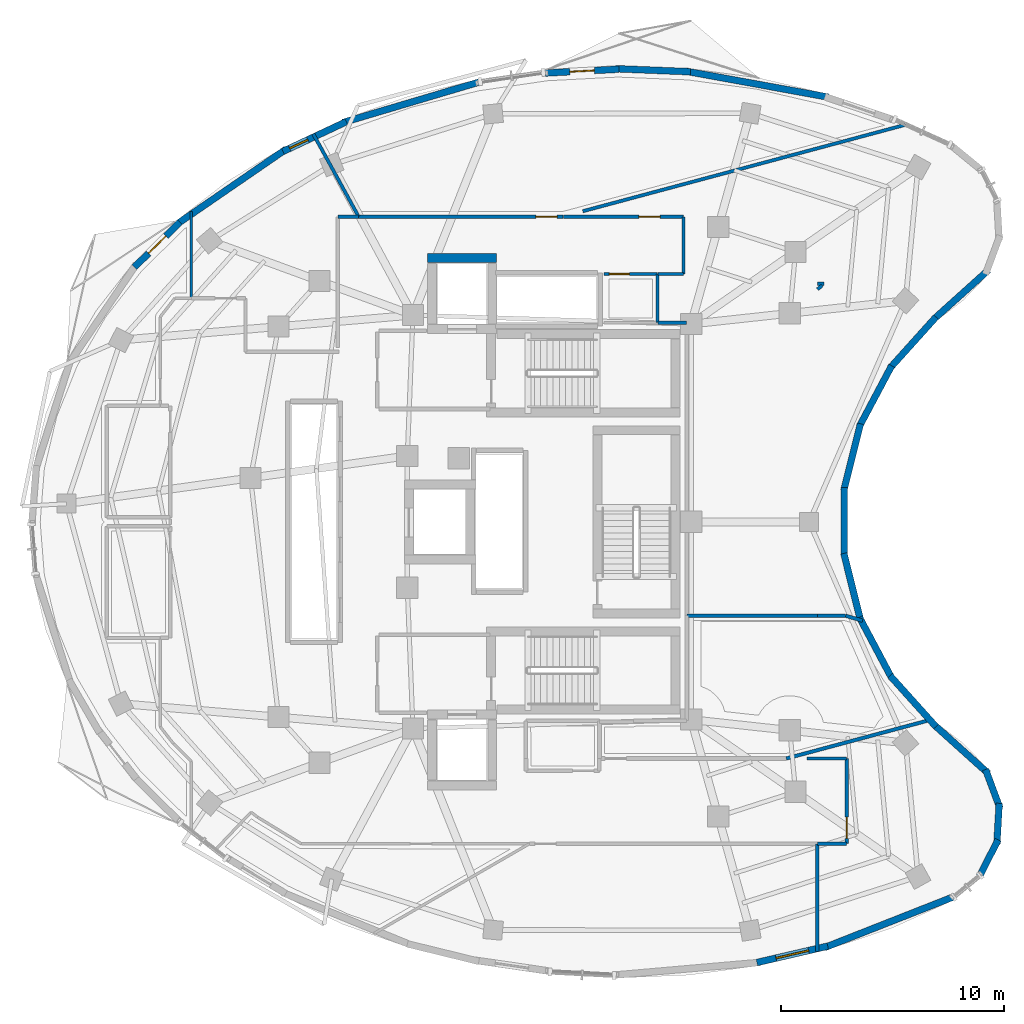
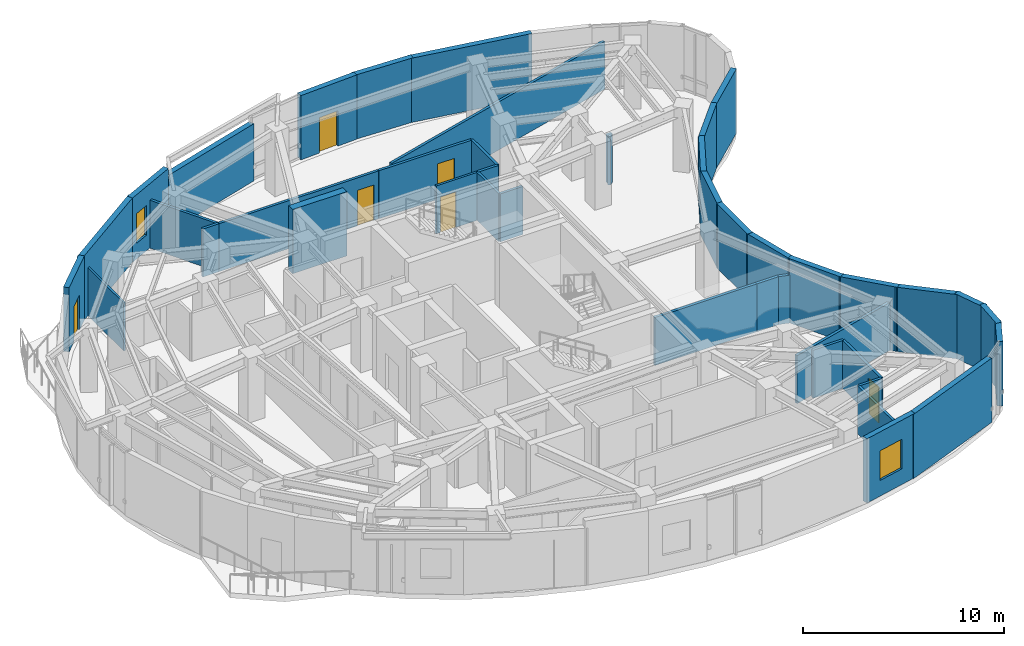
# One storey, part 9 of 13: 43 walls, 6 doors, 2 windows, 8 openings.
"""IFC4 building model written with IfcOpenShell, lengths in metres."""

import ifcopenshell
import ifcopenshell.guid

model = None  # the IFC model being written
_history = None  # IfcOwnerHistory: only IFC2X3 demands one
_inside = {}  # id of a spatial element -> (the spatial element, [elements in it])
_under = {}  # id of a project, library or spatial element -> (it, [spatial elements below it])
_declared = {}  # id of a project -> (the project, [libraries it declares])
_typed = {}  # id of a type object -> (the type object, [elements of that type])
_made_of = {}  # id of a material, layer set ... -> (it, [elements and type objects made of it])


def new_model(schema):
    """Start an empty IFC model of exactly this schema.

    Asked for "IFC4X3", IfcOpenShell would pick the latest addendum, in which some entities
    have other attributes; the version numbers below select the first issue.
    IFC2X3 requires an IfcOwnerHistory on every rooted entity: one is made here for all.
    """
    global model, _history
    if schema == "IFC4X3":
        model = ifcopenshell.file(schema_version=(4, 3, 0, 0))
    else:
        model = ifcopenshell.file(schema=schema)
    _inside.clear()
    _under.clear()
    _declared.clear()
    _typed.clear()
    _made_of.clear()
    _history = None
    if model.schema == "IFC2X3":
        org = make("IfcOrganization", Name="unknown")
        user = make(
            "IfcPersonAndOrganization",
            ThePerson=make("IfcPerson", FamilyName="unknown"),
            TheOrganization=org,
        )
        app = make(
            "IfcApplication",
            ApplicationDeveloper=org,
            Version="unknown",
            ApplicationFullName="unknown",
            ApplicationIdentifier="unknown",
        )
        _history = make(
            "IfcOwnerHistory",
            OwningUser=user,
            OwningApplication=app,
            ChangeAction="ADDED",
            CreationDate=0,
        )
    return model


def make(cls, **values):
    """One entity of the class cls with the attributes given. An attribute that is None is left unset."""
    return model.create_entity(
        cls, **{name: value for name, value in values.items() if value is not None}
    )


def rooted(cls, **values):
    """An entity with a GlobalId (a new one), such as an element, a storey or a relation."""
    return make(cls, GlobalId=ifcopenshell.guid.new(), OwnerHistory=_history, **values)


def si_unit(unit_type, name, prefix=None):
    """IfcSIUnit, for example si_unit("LENGTHUNIT", "METRE", prefix="MILLI")."""
    return make("IfcSIUnit", UnitType=unit_type, Prefix=prefix, Name=name)


def assignment(units):
    """IfcUnitAssignment: the units of a project."""
    return None if units is None else make("IfcUnitAssignment", Units=units)


def point(xyz):
    """IfcCartesianPoint."""
    return None if xyz is None else make("IfcCartesianPoint", Coordinates=xyz)


def direction(xyz):
    """IfcDirection."""
    return None if xyz is None else make("IfcDirection", DirectionRatios=xyz)


def frame(location, z_axis=None, x_axis=None):
    """IfcAxis2Placement3D, a coordinate frame: its origin and axes. An axis left out is left unset."""
    return make(
        "IfcAxis2Placement3D",
        Location=point(location),
        Axis=direction(z_axis),
        RefDirection=direction(x_axis),
    )


def frame_2d(location, x_axis=None):
    """IfcAxis2Placement2D, a coordinate frame in the plane: its origin and x axis."""
    return make(
        "IfcAxis2Placement2D", Location=point(location), RefDirection=direction(x_axis)
    )


def origin():
    """The frame at (0, 0, 0) with its axes left unset."""
    return frame((0.0, 0.0, 0.0))


def place(relative_to, where):
    """IfcLocalPlacement: puts the frame where relative to a parent placement (None: the world)."""
    return make(
        "IfcLocalPlacement", PlacementRelTo=relative_to, RelativePlacement=where
    )


def context(
    kind, dimensions, precision=None, world=None, true_north=None, identifier=None
):
    """IfcGeometricRepresentationContext, for example the 3D "Model" context."""
    return make(
        "IfcGeometricRepresentationContext",
        ContextIdentifier=identifier,
        ContextType=kind,
        CoordinateSpaceDimension=dimensions,
        Precision=precision,
        WorldCoordinateSystem=world,
        TrueNorth=true_north,
    )


def subcontext(parent, identifier, kind, view, scale=None):
    """IfcGeometricRepresentationSubContext, for example "Body" below "Model"."""
    return make(
        "IfcGeometricRepresentationSubContext",
        ContextIdentifier=identifier,
        ContextType=kind,
        ParentContext=parent,
        TargetScale=scale,
        TargetView=view,
    )


def project(units=None, contexts=None):
    """IfcProject with its units and contexts."""
    return rooted(
        "IfcProject",
        Name="project",
        RepresentationContexts=contexts,
        UnitsInContext=assignment(units),
    )


def spatial(cls, under=None, at=None, **own):
    """A site, building, storey or space (cls), placed at a placement, below another one or the project."""
    s = rooted(cls, ObjectPlacement=at, **own)
    if under is not None:
        _under.setdefault(under.id(), (under, []))[1].append(s)
    return s


def profile(cls, at=None, kind="AREA", **sizes):
    """A parametric profile (cls). Its sizes go by their IFC names, for example OverallWidth=200.0."""
    return make(cls, ProfileType=kind, Position=at, **sizes)


def rectangle(**sizes):
    """IfcRectangleProfileDef."""
    return profile("IfcRectangleProfileDef", **sizes)


def extrude(swept, where, along, depth):
    """IfcExtrudedAreaSolid: the profile swept, set in the frame where, extruded along a direction by depth."""
    return make(
        "IfcExtrudedAreaSolid",
        SweptArea=swept,
        Position=where,
        ExtrudedDirection=direction(along),
        Depth=depth,
    )


def shape(context_of_items, identifier, shape_type, items):
    """IfcShapeRepresentation: the items that make up one representation, for example the "Body"."""
    return make(
        "IfcShapeRepresentation",
        ContextOfItems=context_of_items,
        RepresentationIdentifier=identifier,
        RepresentationType=shape_type,
        Items=items,
    )


def material(Name=None, Category=None):
    """IfcMaterial."""
    return make("IfcMaterial", Name=Name, Category=Category)


def layer(
    of_material, thickness, ventilated=None, Name=None, Category=None, Priority=None
):
    """IfcMaterialLayer: one layer of a wall or slab, of a material (None: an air gap)."""
    return make(
        "IfcMaterialLayer",
        Material=of_material,
        LayerThickness=thickness,
        IsVentilated=ventilated,
        Name=Name,
        Category=Category,
        Priority=Priority,
    )


def layer_set(layers, Name=None):
    """IfcMaterialLayerSet."""
    return make("IfcMaterialLayerSet", MaterialLayers=layers, LayerSetName=Name)


def made_of(thing, what):
    """Note that an element or type object is made of a material, layer set ...; save() writes the relation."""
    if what is not None:
        _made_of.setdefault(what.id(), (what, []))[1].append(thing)
    return thing


def type_object(cls, material=None, **own):
    """A type object (cls), such as IfcWallType, which elements share."""
    return made_of(rooted(cls, **own), material)


def element(
    cls,
    number,
    at=None,
    inside=None,
    cuts=None,
    type_object=None,
    material=None,
    context=None,
    identifier="Body",
    shape_type=None,
    held_by="IfcProductDefinitionShape",
    body=None,
    shapes=None,
    **own,
):
    """One element of the class cls, such as IfcWall. Its Tag is "e" and its number.

    at: its placement. inside: the storey or other place that contains it. cuts: it is an
    opening in that element (IfcRelVoidsElement). A single representation is given by context,
    identifier, shape_type and body (its items); several are given by shapes. held_by: the class
    of the entity that holds the representations. save() writes the other relations.
    """
    e = rooted(cls, Tag="e%d" % number, ObjectPlacement=at, **own)
    if body is not None:
        shapes = [shape(context, identifier, shape_type, body)]
    if shapes is not None:
        e.Representation = make(held_by, Representations=shapes)
    if inside is not None:
        _inside.setdefault(inside.id(), (inside, []))[1].append(e)
    if cuts is not None:
        rooted(
            "IfcRelVoidsElement", RelatingBuildingElement=cuts, RelatedOpeningElement=e
        )
    if type_object is not None:
        _typed.setdefault(type_object.id(), (type_object, []))[1].append(e)
    return made_of(e, material)


def fill(opening, filler):
    """IfcRelFillsElement: the door or window that sits in an opening."""
    return rooted(
        "IfcRelFillsElement",
        RelatingOpeningElement=opening,
        RelatedBuildingElement=filler,
    )


def aggregate(whole, parts):
    """IfcRelAggregates: a whole, such as a stair, and the parts it consists of."""
    return rooted("IfcRelAggregates", RelatingObject=whole, RelatedObjects=parts)


def save(model, path):
    """Write the relations noted so far, then the file.

    IfcRelAggregates (storeys below a building ...), IfcRelContainedInSpatialStructure (elements
    in a storey), IfcRelDefinesByType, IfcRelAssociatesMaterial and IfcRelDeclares: one each for
    every whole, place, type object, material and project.
    """
    for whole, parts in _under.values():
        aggregate(whole, parts)
    for where, things in _inside.values():
        rooted(
            "IfcRelContainedInSpatialStructure",
            RelatedElements=things,
            RelatingStructure=where,
        )
    for kind, things in _typed.values():
        rooted("IfcRelDefinesByType", RelatedObjects=things, RelatingType=kind)
    for what, things in _made_of.values():
        rooted("IfcRelAssociatesMaterial", RelatedObjects=things, RelatingMaterial=what)
    for by, libraries in _declared.values():
        rooted("IfcRelDeclares", RelatingContext=by, RelatedDefinitions=libraries)
    model.write(path)


model = new_model("IFC4")

# Units and contexts
model_context = context("Model", 3, precision=1e-05, world=origin(), true_north=direction((0.0, 1.0)))
body_context = subcontext(model_context, "Body", "Model", "MODEL_VIEW")
ifc_project = project(units=[si_unit("LENGTHUNIT", "METRE"), si_unit("AREAUNIT", "SQUARE_METRE"), si_unit("VOLUMEUNIT", "CUBIC_METRE"), si_unit("PLANEANGLEUNIT", "RADIAN"), si_unit("MASSUNIT", "GRAM", prefix="KILO")], contexts=[model_context])

# Site, building, storey
site_placement = place(None, origin())
site = spatial("IfcSite", under=ifc_project, at=site_placement, CompositionType="ELEMENT")
building_placement = place(site_placement, origin())
building = spatial("IfcBuilding", under=site, at=building_placement, Name="Korentha Bioscience Tower", CompositionType="ELEMENT")
storey_placement = place(building_placement, frame((0.0, 0.0, 268.800048828125)))
storey = spatial("IfcBuildingStorey", under=building, at=storey_placement, Name="L62", CompositionType="ELEMENT", Elevation=268.800048828125)

# Wall, opening, door
ifc_material_1 = material(Name="Double-Stud Acoustic Gypsum", Category="gypsum")
ifc_layer_1 = layer(ifc_material_1, 0.14990234375, Name="Double-Stud Acoustic Gypsum")
ifc_layer_set_1 = layer_set([ifc_layer_1], Name="Double-Stud Acoustic Gypsum (IW-L150)")
wall_type_1 = type_object("IfcWallType", Name="Acoustic Laboratory Partition Wall 150", PredefinedType="PARTITIONING", material=ifc_layer_set_1)
wall_1_placement = place(storey_placement, frame((44.510009765625, 12.60009765625, 0.0), z_axis=(0.0, 0.0, 1.0), x_axis=(0.0, 1.0, 0.0)))
wall_1 = element("IfcWall", 1, at=wall_1_placement, inside=storey, type_object=wall_type_1, Name="L62 Biomechanical Motion Analysis Lab 04 Entrance Wall", PredefinedType="PARTITIONING", context=body_context, shape_type="SweptSolid", body=[
    extrude(rectangle(XDim=3.7998046875, YDim=0.14990234375, at=frame_2d((1.89990234375, 0.0))), origin(), (0.0, 0.0, 1.0), 2.909912109375),
])
opening_1_placement = place(wall_1_placement, frame((0.239990234375, 0.0, 0.0)))
opening_1 = element("IfcOpeningElement", 2, at=opening_1_placement, cuts=wall_1, Name="Opening ID-10R", PredefinedType="OPENING", context=body_context, shape_type="SweptSolid", body=[
    extrude(rectangle(XDim=0.949951171875, YDim=2.14990234375, at=frame_2d((0.47509765625, 1.074951171875))), frame((0.0, 0.08984375, 0.0), z_axis=(0.0, -1.0, 0.0), x_axis=(1.0, 0.0, 0.0)), (0.0, 0.0, 1.0), 0.1796875),
])
ifc_material_2 = material(Name="Phenolic Laminate Timber Core", Category="wood")
door_type_1 = type_object("IfcDoorType", Name="Laboratory Single Leaf Door 950x2150 Right", OperationType="SINGLE_SWING_RIGHT", PredefinedType="DOOR", material=ifc_material_2)
door_1_placement = place(opening_1_placement, origin())
door_1 = element("IfcDoor", 3, at=door_1_placement, inside=storey, type_object=door_type_1, Name="L62 Biomechanical Motion Analysis Lab 04 Door", OperationType="SINGLE_SWING_RIGHT", OverallHeight=2.14990234375, OverallWidth=0.949951171875, PredefinedType="DOOR", context=body_context, shape_type="SweptSolid", body=[
    extrude(rectangle(XDim=0.949951171875, YDim=2.14990234375, at=frame_2d((0.47509765625, 1.074951171875))), frame((0.0, 0.02490234375, 0.0), z_axis=(0.0, -1.0, 0.0), x_axis=(1.0, 0.0, 0.0)), (0.0, 0.0, 1.0), 0.050048828125),
])
fill(opening_1, door_1)

wall_2_placement = place(storey_placement, frame((31.8056640625, 40.659912109375, 0.0), z_axis=(0.0, 0.0, 1.0), x_axis=(-1.0, 0.0, 0.0)))
wall_2 = element("IfcWall", 4, at=wall_2_placement, inside=storey, type_object=wall_type_1, Name="L62 Incubator and Bioreactor Suite 05 Entrance Wall", PredefinedType="PARTITIONING", context=body_context, shape_type="SweptSolid", body=[
    extrude(rectangle(XDim=9.136474609375, YDim=0.14990234375, at=frame_2d((4.568359375, 0.0))), origin(), (0.0, 0.0, 1.0), 2.909912109375),
])
opening_2_placement = place(wall_2_placement, frame((0.25732421875, 0.0, 0.0)))
opening_2 = element("IfcOpeningElement", 5, at=opening_2_placement, cuts=wall_2, Name="Opening ID-10L", PredefinedType="OPENING", context=body_context, shape_type="SweptSolid", body=[
    extrude(rectangle(XDim=0.949951171875, YDim=2.14990234375, at=frame_2d((0.47509765625, 1.074951171875))), frame((0.0, 0.08984375, 0.0), z_axis=(0.0, -1.0, 0.0), x_axis=(1.0, 0.0, 0.0)), (0.0, 0.0, 1.0), 0.1796875),
])
door_type_2 = type_object("IfcDoorType", Name="Laboratory Single Leaf Door 950x2150 Left", OperationType="SINGLE_SWING_LEFT", PredefinedType="DOOR", material=ifc_material_2)
door_2_placement = place(opening_2_placement, origin())
door_2 = element("IfcDoor", 6, at=door_2_placement, inside=storey, type_object=door_type_2, Name="L62 Incubator and Bioreactor Suite 05 Door", OperationType="SINGLE_SWING_LEFT", OverallHeight=2.14990234375, OverallWidth=0.949951171875, PredefinedType="DOOR", context=body_context, shape_type="SweptSolid", body=[
    extrude(rectangle(XDim=0.949951171875, YDim=2.14990234375, at=frame_2d((0.47509765625, 1.074951171875))), frame((0.0, 0.02490234375, 0.0), z_axis=(0.0, -1.0, 0.0), x_axis=(1.0, 0.0, 0.0)), (0.0, 0.0, 1.0), 0.050048828125),
])
fill(opening_2, door_2)

wall_3_placement = place(storey_placement, frame((37.199951171875, 40.659912109375, 0.0), z_axis=(0.0, 0.0, 1.0), x_axis=(-1.0, 0.0, 0.0)))
wall_3 = element("IfcWall", 7, at=wall_3_placement, inside=storey, type_object=wall_type_1, Name="L62 Translational Medicine Team Office 06 Entrance Wall", PredefinedType="PARTITIONING", context=body_context, shape_type="SweptSolid", body=[
    extrude(rectangle(XDim=5.35546875, YDim=0.14990234375, at=frame_2d((2.677734375, 0.0))), origin(), (0.0, 0.0, 1.0), 2.909912109375),
])
opening_3_placement = place(wall_3_placement, frame((1.037353515625, 0.0, 0.0)))
opening_3 = element("IfcOpeningElement", 8, at=opening_3_placement, cuts=wall_3, Name="Opening ID-10R", PredefinedType="OPENING", context=body_context, shape_type="SweptSolid", body=[
    extrude(rectangle(XDim=0.949951171875, YDim=2.14990234375, at=frame_2d((0.47509765625, 1.074951171875))), frame((0.0, 0.08984375, 0.0), z_axis=(0.0, -1.0, 0.0), x_axis=(1.0, 0.0, 0.0)), (0.0, 0.0, 1.0), 0.1796875),
])
door_3_placement = place(opening_3_placement, origin())
door_3 = element("IfcDoor", 9, at=door_3_placement, inside=storey, type_object=door_type_1, Name="L62 Translational Medicine Team Office 06 Door", OperationType="SINGLE_SWING_RIGHT", OverallHeight=2.14990234375, OverallWidth=0.949951171875, PredefinedType="DOOR", context=body_context, shape_type="SweptSolid", body=[
    extrude(rectangle(XDim=0.949951171875, YDim=2.14990234375, at=frame_2d((0.47509765625, 1.074951171875))), frame((0.0, 0.02490234375, 0.0), z_axis=(0.0, -1.0, 0.0), x_axis=(1.0, 0.0, 0.0)), (0.0, 0.0, 1.0), 0.050048828125),
])
fill(opening_3, door_3)

# Walls
wall_4_placement = place(storey_placement, frame((43.197998046875, 12.590087890625, 0.0), z_axis=(0.0, 0.0, 1.0), x_axis=(0.0, -1.0, 0.0)))
element("IfcWall", 10, at=wall_4_placement, inside=storey, type_object=wall_type_1, Name="L62 Interior Partition 032", PredefinedType="PARTITIONING", context=body_context, shape_type="SweptSolid", body=[
    extrude(rectangle(XDim=4.820556640625, YDim=0.14990234375, at=frame_2d((2.41015625, 0.0))), origin(), (0.0, 0.0, 1.0), 2.909912109375),
])
wall_5_placement = place(storey_placement, frame((43.2080078125, 12.590087890625, 0.0), z_axis=(0.0, 0.0, 1.0), x_axis=(1.0, 0.0, 0.0)))
element("IfcWall", 11, at=wall_5_placement, inside=storey, type_object=wall_type_1, Name="L62 Interior Partition 040", PredefinedType="PARTITIONING", context=body_context, shape_type="SweptSolid", body=[
    extrude(rectangle(XDim=1.2919921875, YDim=0.14990234375, at=frame_2d((0.64599609375, 0.0))), origin(), (0.0, 0.0, 1.0), 2.909912109375),
])
wall_6_placement = place(storey_placement, frame((44.5, 16.409912109375, 0.0), z_axis=(0.0, 0.0, 1.0), x_axis=(-1.0, 0.0, 0.0)))
element("IfcWall", 12, at=wall_6_placement, inside=storey, type_object=wall_type_1, Name="L62 Interior Partition 041", PredefinedType="PARTITIONING", context=body_context, shape_type="SweptSolid", body=[
    extrude(rectangle(XDim=1.764892578125, YDim=0.14990234375, at=frame_2d((0.88232421875, 0.0))), origin(), (0.0, 0.0, 1.0), 2.909912109375),
])
wall_7_placement = place(storey_placement, frame((47.15380859375, 44.7724609375, 0.0), z_axis=(0.0, 0.0, 1.0), x_axis=(-0.965924962881, -0.258822267365, 0.0)))
element("IfcWall", 13, at=wall_7_placement, inside=storey, type_object=wall_type_1, Name="L62 Interior Partition 042", PredefinedType="PARTITIONING", context=body_context, shape_type="SweptSolid", body=[
    extrude(rectangle(XDim=14.962158203125, YDim=0.14990234375, at=frame_2d((7.48095703125, 0.0))), origin(), (0.0, 0.0, 1.0), 2.909912109375),
])
wall_8_placement = place(storey_placement, frame((22.669189453125, 40.659912109375, 0.0), z_axis=(0.0, 0.0, 1.0), x_axis=(-0.480944413436, 0.8767510885, 0.0)))
element("IfcWall", 14, at=wall_8_placement, inside=storey, type_object=wall_type_1, Name="L62 Interior Partition 043", PredefinedType="PARTITIONING", context=body_context, shape_type="SweptSolid", body=[
    extrude(rectangle(XDim=4.223876953125, YDim=0.14990234375, at=frame_2d((2.11181640625, 0.0))), origin(), (0.0, 0.0, 1.0), 2.909912109375),
])
wall_9_placement = place(storey_placement, frame((37.35009765625, 35.909912109375, 0.0), z_axis=(0.0, 0.0, 1.0), x_axis=(-1.0, 0.0, 0.0)))
element("IfcWall", 15, at=wall_9_placement, inside=storey, type_object=wall_type_1, Name="L62 Interior Partition 047", PredefinedType="PARTITIONING", context=body_context, shape_type="SweptSolid", body=[
    extrude(rectangle(XDim=1.2900390625, YDim=0.14990234375, at=frame_2d((0.64501953125, 0.0))), origin(), (0.0, 0.0, 1.0), 2.909912109375),
])
wall_10_placement = place(storey_placement, frame((36.06005859375, 38.090087890625, 0.0), z_axis=(0.0, 0.0, 1.0), x_axis=(1.0, 0.0, 0.0)))
element("IfcWall", 16, at=wall_10_placement, inside=storey, type_object=wall_type_1, Name="L62 Interior Partition 048", PredefinedType="PARTITIONING", context=body_context, shape_type="SweptSolid", body=[
    extrude(rectangle(XDim=1.139892578125, YDim=0.14990234375, at=frame_2d((0.56982421875, 0.0))), origin(), (0.0, 0.0, 1.0), 2.909912109375),
])
wall_11_placement = place(storey_placement, frame((37.2099609375, 38.10009765625, 0.0), z_axis=(0.0, 0.0, 1.0), x_axis=(0.0, 1.0, 0.0)))
element("IfcWall", 17, at=wall_11_placement, inside=storey, type_object=wall_type_1, Name="L62 Interior Partition 049", PredefinedType="PARTITIONING", context=body_context, shape_type="SweptSolid", body=[
    extrude(rectangle(XDim=2.5498046875, YDim=0.14990234375, at=frame_2d((1.27490234375, 0.0))), origin(), (0.0, 0.0, 1.0), 2.909912109375),
])
wall_12_placement = place(storey_placement, frame((43.20458984375, 37.40771484375, 0.0), z_axis=(0.0, 0.0, 1.0), x_axis=(0.781494095721, 0.623912636795, 0.0)))
element("IfcWall", 18, at=wall_12_placement, inside=storey, type_object=wall_type_1, Name="L62 Interior Partition 050", PredefinedType="PARTITIONING", context=body_context, shape_type="SweptSolid", body=[
    extrude(rectangle(XDim=0.266357421875, YDim=0.14990234375, at=frame_2d((0.13330078125, 0.0))), origin(), (0.0, 0.0, 1.0), 2.909912109375),
])
wall_13_placement = place(storey_placement, frame((43.499267578125, 37.652099609375, 0.0), z_axis=(0.0, 0.0, 1.0), x_axis=(-1.0, 0.0, 0.0)))
element("IfcWall", 19, at=wall_13_placement, inside=storey, type_object=wall_type_1, Name="L62 Interior Partition 051", PredefinedType="PARTITIONING", context=body_context, shape_type="SweptSolid", body=[
    extrude(rectangle(XDim=0.297119140625, YDim=0.14990234375, at=frame_2d((0.1484375, 0.0))), origin(), (0.0, 0.0, 1.0), 2.909912109375),
])
wall_14_placement = place(storey_placement, frame((22.65771484375, 40.659912109375, 0.0), z_axis=(0.0, 0.0, 1.0), x_axis=(-1.0, 0.0, 0.0)))
element("IfcWall", 20, at=wall_14_placement, inside=storey, type_object=wall_type_1, Name="L62 Interior Partition 060", PredefinedType="PARTITIONING", context=body_context, shape_type="SweptSolid", body=[
    extrude(rectangle(XDim=0.90771484375, YDim=0.14990234375, at=frame_2d((0.453857421875, 0.0))), origin(), (0.0, 0.0, 1.0), 2.909912109375),
])
ifc_material_3 = material(Name="Fire-Rated Framed Glass", Category="glass")
ifc_layer_2 = layer(ifc_material_3, 0.110107421875, Name="Fire-Rated Framed Glass")
ifc_layer_set_2 = layer_set([ifc_layer_2], Name="Fire-Rated Framed Glass (IW-G110)")
wall_type_2 = type_object("IfcWallType", Name="Demountable Glazed Office Partition 110", PredefinedType="MOVABLE", material=ifc_layer_set_2)
wall_15_placement = place(storey_placement, frame((15.184326171875, 40.89697265625, 0.0), z_axis=(0.0, 0.0, 1.0), x_axis=(0.0, -1.0, 0.0)))
element("IfcWall", 21, at=wall_15_placement, inside=storey, type_object=wall_type_2, Name="L62 Interior Partition 052", PredefinedType="MOVABLE", context=body_context, shape_type="SweptSolid", body=[
    extrude(rectangle(XDim=3.886962890625, YDim=0.110107421875, at=frame_2d((1.943359375, 0.0))), origin(), (0.0, 0.0, 1.0), 2.909912109375),
])
ifc_material_4 = material(Name="Gypsum-Clad Steel Stud", Category="steel")
ifc_layer_3 = layer(ifc_material_4, 0.159912109375, Name="Gypsum-Clad Steel Stud")
ifc_layer_set_3 = layer_set([ifc_layer_3], Name="Gypsum-Clad Steel Stud (IW-C160)")
wall_type_3 = type_object("IfcWallType", Name="Fire-Rated Corridor Partition Wall 160", PredefinedType="PARTITIONING", material=ifc_layer_set_3)
wall_16_placement = place(storey_placement, frame((37.360107421875, 22.798095703125, 0.0), z_axis=(0.0, 0.0, 1.0), x_axis=(1.0, 0.0, 0.0)))
element("IfcWall", 22, at=wall_16_placement, inside=storey, type_object=wall_type_3, Name="L62 Interior Partition 035", PredefinedType="PARTITIONING", context=body_context, shape_type="SweptSolid", body=[
    extrude(rectangle(XDim=5.837890625, YDim=0.159912109375, at=frame_2d((2.9189453125, 0.0))), origin(), (0.0, 0.0, 1.0), 2.909912109375),
])
wall_17_placement = place(storey_placement, frame((43.2021484375, 22.798095703125, 0.0), z_axis=(0.0, 0.0, 1.0), x_axis=(1.0, 0.0, 0.0)))
element("IfcWall", 23, at=wall_17_placement, inside=storey, type_object=wall_type_3, Name="L62 Interior Partition 036", PredefinedType="PARTITIONING", context=body_context, shape_type="SweptSolid", body=[
    extrude(rectangle(XDim=1.2607421875, YDim=0.159912109375, at=frame_2d((0.63037109375, 0.0))), origin(), (0.0, 0.0, 1.0), 2.909912109375),
])
wall_18_placement = place(storey_placement, frame((44.463134765625, 22.798095703125, 0.0), z_axis=(0.0, 0.0, 1.0), x_axis=(0.959419641558, -0.281982182759, 0.0)))
element("IfcWall", 24, at=wall_18_placement, inside=storey, type_object=wall_type_3, Name="L62 Interior Partition 037", PredefinedType="PARTITIONING", context=body_context, shape_type="SweptSolid", body=[
    extrude(rectangle(XDim=0.78955078125, YDim=0.159912109375, at=frame_2d((0.394775390625, 0.0))), origin(), (0.0, 0.0, 1.0), 2.909912109375),
])
wall_19_placement = place(storey_placement, frame((48.30908203125, 18.152099609375, 0.0), z_axis=(0.0, 0.0, 1.0), x_axis=(-0.965918743998, -0.258845475127, 0.0)))
element("IfcWall", 25, at=wall_19_placement, inside=storey, type_object=wall_type_3, Name="L62 Interior Partition 038", PredefinedType="PARTITIONING", context=body_context, shape_type="SweptSolid", body=[
    extrude(rectangle(XDim=6.730712890625, YDim=0.159912109375, at=frame_2d((3.365234375, 0.0))), origin(), (0.0, 0.0, 1.0), 2.909912109375),
])

# Wall, opening, door
ifc_material_5 = material(Name="Honed Limestone Precast Concrete C40", Category="masonry")
ifc_layer_4 = layer(ifc_material_5, 0.300048828125, Name="Honed Limestone Precast Concrete C40")
ifc_layer_set_4 = layer_set([ifc_layer_4], Name="Honed Limestone Precast Concrete C40 (EW-ST300)")
wall_type_4 = type_object("IfcWallType", Name="Honed Limestone Cavity Spandrel Wall 300", PredefinedType="STANDARD", material=ifc_layer_set_4)
wall_20_placement = place(storey_placement, frame((34.32421875, 47.256591796875, 0.0), z_axis=(0.0, 0.0, 1.0), x_axis=(-0.998637335207, -0.052186901914, 0.0)))
wall_20 = element("IfcWall", 26, at=wall_20_placement, inside=storey, type_object=wall_type_4, Name="L62 Balcony Threshold Wall 01", PredefinedType="STANDARD", context=body_context, shape_type="SweptSolid", body=[
    extrude(rectangle(XDim=3.307373046875, YDim=0.300048828125, at=frame_2d((1.65380859375, 0.0))), origin(), (0.0, 0.0, 1.0), 3.89990234375),
])
opening_4_placement = place(wall_20_placement, frame((1.103759765625, 0.0, 0.0)))
opening_4 = element("IfcOpeningElement", 27, at=opening_4_placement, cuts=wall_20, Name="Opening BD-11L", PredefinedType="OPENING", context=body_context, shape_type="SweptSolid", body=[
    extrude(rectangle(XDim=1.10009765625, YDim=2.14990234375, at=frame_2d((0.550048828125, 1.074951171875))), frame((0.0, 0.1650390625, 0.0), z_axis=(0.0, -1.0, 0.0), x_axis=(1.0, 0.0, 0.0)), (0.0, 0.0, 1.0), 0.329833984375),
])
ifc_material_6 = material(Name="Thermally Broken Glazed Aluminium", Category="aluminium")
door_type_3 = type_object("IfcDoorType", Name="Balcony Terrace Glazed Door 1100x2150 Left", OperationType="SINGLE_SWING_LEFT", PredefinedType="DOOR", material=ifc_material_6)
door_4_placement = place(opening_4_placement, origin())
door_4 = element("IfcDoor", 28, at=door_4_placement, inside=storey, type_object=door_type_3, Name="L62 Balcony Access Door 01", OperationType="SINGLE_SWING_LEFT", OverallHeight=2.14990234375, OverallWidth=1.10009765625, PredefinedType="DOOR", context=body_context, shape_type="SweptSolid", body=[
    extrude(rectangle(XDim=1.10009765625, YDim=2.14990234375, at=frame_2d((0.550048828125, 1.074951171875))), frame((0.0, 0.02490234375, 0.0), z_axis=(0.0, -1.0, 0.0), x_axis=(1.0, 0.0, 0.0)), (0.0, 0.0, 1.0), 0.050048828125),
])
fill(opening_4, door_4)

# Wall, opening, window
wall_21_placement = place(storey_placement, frame((22.118408203125, 44.9052734375, 0.0), z_axis=(0.0, 0.0, 1.0), x_axis=(-0.904969006582, -0.425477493089, 0.0)))
wall_21 = element("IfcWall", 29, at=wall_21_placement, inside=storey, type_object=wall_type_4, Name="L62 Honed Limestone Spandrel Wall 10", PredefinedType="STANDARD", context=body_context, shape_type="SweptSolid", body=[
    extrude(rectangle(XDim=3.127685546875, YDim=0.300048828125, at=frame_2d((1.56396484375, 0.0))), origin(), (0.0, 0.0, 1.0), 3.89990234375),
])
opening_5_placement = place(wall_21_placement, frame((1.899169921875, 0.0, 0.949951171875)))
opening_5 = element("IfcOpeningElement", 30, at=opening_5_placement, cuts=wall_21, Name="Opening WN-05", PredefinedType="OPENING", context=body_context, shape_type="SweptSolid", body=[
    extrude(rectangle(XDim=0.89990234375, YDim=1.800048828125, at=frame_2d((0.449951171875, 0.89990234375))), frame((0.0, 0.1650390625, 0.0), z_axis=(0.0, -1.0, 0.0), x_axis=(1.0, 0.0, 0.0)), (0.0, 0.0, 1.0), 0.329833984375),
])
ifc_material_7 = material(Name="Thermally Broken Aluminium Triple Glazing", Category="aluminium")
window_type_1 = type_object("IfcWindowType", Name="Narrow Bioscience Pier Window 900x1800", PartitioningType="SINGLE_PANEL", PredefinedType="WINDOW", material=ifc_material_7)
window_1_placement = place(opening_5_placement, origin())
window_1 = element("IfcWindow", 31, at=window_1_placement, inside=storey, type_object=window_type_1, Name="L62 Facade Window 10", OverallHeight=1.800048828125, OverallWidth=0.89990234375, PartitioningType="SINGLE_PANEL", PredefinedType="WINDOW", context=body_context, shape_type="SweptSolid", body=[
    extrude(rectangle(XDim=0.89990234375, YDim=1.800048828125, at=frame_2d((0.449951171875, 0.89990234375))), frame((0.0, 0.030029296875, 0.0), z_axis=(0.0, -1.0, 0.0), x_axis=(1.0, 0.0, 0.0)), (0.0, 0.0, 1.0), 0.06005859375),
])
fill(opening_5, window_1)

# Wall, opening, door
wall_22_placement = place(storey_placement, frame((14.678955078125, 40.41064453125, 0.0), z_axis=(0.0, 0.0, 1.0), x_axis=(-0.711382793294, -0.702804753403, 0.0)))
wall_22 = element("IfcWall", 32, at=wall_22_placement, inside=storey, type_object=wall_type_4, Name="L62 Balcony Threshold Wall 02", PredefinedType="STANDARD", context=body_context, shape_type="SweptSolid", body=[
    extrude(rectangle(XDim=2.87451171875, YDim=0.300048828125, at=frame_2d((1.437255859375, 0.0))), origin(), (0.0, 0.0, 1.0), 3.89990234375),
])
opening_6_placement = place(wall_22_placement, frame((0.88720703125, 0.0, 0.0)))
opening_6 = element("IfcOpeningElement", 33, at=opening_6_placement, cuts=wall_22, Name="Opening BD-11R", PredefinedType="OPENING", context=body_context, shape_type="SweptSolid", body=[
    extrude(rectangle(XDim=1.10009765625, YDim=2.14990234375, at=frame_2d((0.550048828125, 1.074951171875))), frame((0.0, 0.1650390625, 0.0), z_axis=(0.0, -1.0, 0.0), x_axis=(1.0, 0.0, 0.0)), (0.0, 0.0, 1.0), 0.329833984375),
])
door_type_4 = type_object("IfcDoorType", Name="Balcony Terrace Glazed Door 1100x2150 Right", OperationType="SINGLE_SWING_RIGHT", PredefinedType="DOOR", material=ifc_material_6)
door_5_placement = place(opening_6_placement, origin())
door_5 = element("IfcDoor", 34, at=door_5_placement, inside=storey, type_object=door_type_4, Name="L62 Balcony Access Door 02", OperationType="SINGLE_SWING_RIGHT", OverallHeight=2.14990234375, OverallWidth=1.10009765625, PredefinedType="DOOR", context=body_context, shape_type="SweptSolid", body=[
    extrude(rectangle(XDim=1.10009765625, YDim=2.14990234375, at=frame_2d((0.550048828125, 1.074951171875))), frame((0.0, 0.02490234375, 0.0), z_axis=(0.0, -1.0, 0.0), x_axis=(1.0, 0.0, 0.0)), (0.0, 0.0, 1.0), 0.050048828125),
])
fill(opening_6, door_5)

# Wall, opening, window
wall_23_placement = place(storey_placement, frame((40.490966796875, 7.27880859375, 0.0), z_axis=(0.0, 0.0, 1.0), x_axis=(0.974196208509, 0.225702785377, 0.0)))
wall_23 = element("IfcWall", 35, at=wall_23_placement, inside=storey, type_object=wall_type_4, Name="L62 Honed Limestone Spandrel Wall 34", PredefinedType="STANDARD", context=body_context, shape_type="SweptSolid", body=[
    extrude(rectangle(XDim=3.255859375, YDim=0.300048828125, at=frame_2d((1.6279296875, 0.0))), origin(), (0.0, 0.0, 1.0), 3.89990234375),
])
opening_7_placement = place(wall_23_placement, frame((0.8779296875, 0.0, 0.949951171875)))
opening_7 = element("IfcOpeningElement", 36, at=opening_7_placement, cuts=wall_23, Name="Opening WN-02", PredefinedType="OPENING", context=body_context, shape_type="SweptSolid", body=[
    extrude(rectangle(XDim=1.5, YDim=1.800048828125, at=frame_2d((0.75, 0.89990234375))), frame((0.0, 0.1650390625, 0.0), z_axis=(0.0, -1.0, 0.0), x_axis=(1.0, 0.0, 0.0)), (0.0, 0.0, 1.0), 0.329833984375),
])
window_type_2 = type_object("IfcWindowType", Name="Acoustic Operable Office Window 1500x1800", PartitioningType="DOUBLE_PANEL_VERTICAL", PredefinedType="WINDOW", material=ifc_material_7)
window_2_placement = place(opening_7_placement, origin())
window_2 = element("IfcWindow", 37, at=window_2_placement, inside=storey, type_object=window_type_2, Name="L62 Facade Window 34", OverallHeight=1.800048828125, OverallWidth=1.5, PartitioningType="DOUBLE_PANEL_VERTICAL", PredefinedType="WINDOW", context=body_context, shape_type="SweptSolid", body=[
    extrude(rectangle(XDim=1.5, YDim=1.800048828125, at=frame_2d((0.75, 0.89990234375))), frame((0.0, 0.030029296875, 0.0), z_axis=(0.0, -1.0, 0.0), x_axis=(1.0, 0.0, 0.0)), (0.0, 0.0, 1.0), 0.06005859375),
])
fill(opening_7, window_2)

# Walls
wall_24_placement = place(storey_placement, frame((43.694091796875, 46.003662109375, 0.0), z_axis=(0.0, 0.0, 1.0), x_axis=(-0.983805148083, 0.179241263679, 0.0)))
element("IfcWall", 38, at=wall_24_placement, inside=storey, type_object=wall_type_4, Name="L62 Limestone Perimeter Closure Wall 03", PredefinedType="STANDARD", context=body_context, shape_type="SweptSolid", body=[
    extrude(rectangle(XDim=6.46044921875, YDim=0.300048828125, at=frame_2d((3.230224609375, 0.0))), origin(), (0.0, 0.0, 1.0), 3.89990234375),
])
wall_25_placement = place(storey_placement, frame((37.5166015625, 47.141845703125, 0.0), z_axis=(0.0, 0.0, 1.0), x_axis=(-0.999189974351, 0.040241709167, 0.0)))
element("IfcWall", 39, at=wall_25_placement, inside=storey, type_object=wall_type_4, Name="L62 Limestone Perimeter Closure Wall 05", PredefinedType="STANDARD", context=body_context, shape_type="SweptSolid", body=[
    extrude(rectangle(XDim=3.348876953125, YDim=0.300048828125, at=frame_2d((1.67431640625, 0.0))), origin(), (0.0, 0.0, 1.0), 3.89990234375),
])
wall_26_placement = place(storey_placement, frame((28.054931640625, 46.677001953125, 0.0), z_axis=(0.0, 0.0, 1.0), x_axis=(-0.958650794435, -0.284585056406, 0.0)))
element("IfcWall", 40, at=wall_26_placement, inside=storey, type_object=wall_type_4, Name="L62 Limestone Perimeter Closure Wall 08", PredefinedType="STANDARD", context=body_context, shape_type="SweptSolid", body=[
    extrude(rectangle(XDim=6.358642578125, YDim=0.300048828125, at=frame_2d((3.17919921875, 0.0))), origin(), (0.0, 0.0, 1.0), 3.469970703125),
])
wall_27_placement = place(storey_placement, frame((19.419189453125, 43.6748046875, 0.0), z_axis=(0.0, 0.0, 1.0), x_axis=(-0.824290809052, -0.566166638113, 0.0)))
element("IfcWall", 41, at=wall_27_placement, inside=storey, type_object=wall_type_4, Name="L62 Limestone Perimeter Closure Wall 11", PredefinedType="STANDARD", context=body_context, shape_type="SweptSolid", body=[
    extrude(rectangle(XDim=5.9228515625, YDim=0.300048828125, at=frame_2d((2.96142578125, 0.0))), origin(), (0.0, 0.0, 1.0), 3.89990234375),
])
wall_28_placement = place(storey_placement, frame((43.5146484375, 7.9453125, 0.0), z_axis=(0.0, 0.0, 1.0), x_axis=(0.930516880158, 0.366249007836, 0.0)))
element("IfcWall", 42, at=wall_28_placement, inside=storey, type_object=wall_type_4, Name="L62 Limestone Perimeter Closure Wall 35", PredefinedType="STANDARD", context=body_context, shape_type="SweptSolid", body=[
    extrude(rectangle(XDim=6.25341796875, YDim=0.300048828125, at=frame_2d((3.126708984375, 0.0))), origin(), (0.0, 0.0, 1.0), 3.89990234375),
])
for number, where, z_axis, x_axis, name in (
    (43, (50.451171875, 11.1328125, 0.0), (0.0, 0.0, 1.0), (0.454199826939, 0.890899835677, 0.0), "L62 Limestone Perimeter Closure Wall 38"),
    (44, (51.231689453125, 12.56689453125, 0.0), (0.0, 0.0, 1.0), (0.057400886187, 0.998351209878, 0.0), "L62 Limestone Perimeter Closure Wall 39"),
    (45, (51.369384765625, 14.193603515625, 0.0), (0.0, 0.0, 1.0), (-0.348928688775, 0.937149278477, 0.0), "L62 Limestone Perimeter Closure Wall 40"),
):
    element("IfcWall", number, at=place(storey_placement, frame(where, z_axis=z_axis, x_axis=x_axis)), inside=storey, type_object=wall_type_4, Name=name, PredefinedType="STANDARD", context=body_context, shape_type="SweptSolid", body=[
        extrude(rectangle(XDim=1.841552734375, YDim=0.300048828125, at=frame_2d((0.9208984375, 0.0))), origin(), (0.0, 0.0, 1.0), 3.89990234375),
    ])
wall_29_placement = place(storey_placement, frame((50.8515625, 15.73583984375, 0.0), z_axis=(0.0, 0.0, 1.0), x_axis=(-0.743397410822, 0.668849975393, 0.0)))
element("IfcWall", 46, at=wall_29_placement, inside=storey, type_object=wall_type_4, Name="L62 Limestone Perimeter Closure Wall 41", PredefinedType="STANDARD", context=body_context, shape_type="SweptSolid", body=[
    extrude(rectangle(XDim=3.291259765625, YDim=0.300048828125, at=frame_2d((1.6455078125, 0.0))), origin(), (0.0, 0.0, 1.0), 3.89990234375),
])
wall_30_placement = place(storey_placement, frame((48.507568359375, 17.834716796875, 0.0), z_axis=(0.0, 0.0, 1.0), x_axis=(-0.669127242861, 0.743147853971, 0.0)))
element("IfcWall", 47, at=wall_30_placement, inside=storey, type_object=wall_type_4, Name="L62 Limestone Perimeter Closure Wall 43", PredefinedType="STANDARD", context=body_context, shape_type="SweptSolid", body=[
    extrude(rectangle(XDim=3.07080078125, YDim=0.300048828125, at=frame_2d((1.535400390625, 0.0))), origin(), (0.0, 0.0, 1.0), 3.89990234375),
])
wall_31_placement = place(storey_placement, frame((46.5244140625, 20.014404296875, 0.0), z_axis=(0.0, 0.0, 1.0), x_axis=(-0.469494296004, 0.882935505017, 0.0)))
element("IfcWall", 48, at=wall_31_placement, inside=storey, type_object=wall_type_4, Name="L62 Limestone Perimeter Closure Wall 45", PredefinedType="STANDARD", context=body_context, shape_type="SweptSolid", body=[
    extrude(rectangle(XDim=3.070556640625, YDim=0.300048828125, at=frame_2d((1.53515625, 0.0))), origin(), (0.0, 0.0, 1.0), 3.89990234375),
])
wall_32_placement = place(storey_placement, frame((45.12744140625, 22.609130859375, 0.0), z_axis=(0.0, 0.0, 1.0), x_axis=(-0.241880750878, 0.970305983881, 0.0)))
element("IfcWall", 49, at=wall_32_placement, inside=storey, type_object=wall_type_4, Name="L62 Limestone Perimeter Closure Wall 47", PredefinedType="STANDARD", context=body_context, shape_type="SweptSolid", body=[
    extrude(rectangle(XDim=3.0703125, YDim=0.300048828125, at=frame_2d((1.53515625, 0.0))), origin(), (0.0, 0.0, 1.0), 3.89990234375),
])
wall_33_placement = place(storey_placement, frame((44.39990234375, 25.464599609375, 0.0), z_axis=(0.0, 0.0, 1.0), x_axis=(0.0, 1.0, 0.0)))
element("IfcWall", 50, at=wall_33_placement, inside=storey, type_object=wall_type_4, Name="L62 Limestone Perimeter Closure Wall 49", PredefinedType="STANDARD", context=body_context, shape_type="SweptSolid", body=[
    extrude(rectangle(XDim=3.07080078125, YDim=0.300048828125, at=frame_2d((1.535400390625, 0.0))), origin(), (0.0, 0.0, 1.0), 3.89990234375),
])
wall_34_placement = place(storey_placement, frame((44.384765625, 28.41162109375, 0.0), z_axis=(0.0, 0.0, 1.0), x_axis=(0.241880750878, 0.970305983881, 0.0)))
element("IfcWall", 51, at=wall_34_placement, inside=storey, type_object=wall_type_4, Name="L62 Limestone Perimeter Closure Wall 51", PredefinedType="STANDARD", context=body_context, shape_type="SweptSolid", body=[
    extrude(rectangle(XDim=3.0703125, YDim=0.300048828125, at=frame_2d((1.53515625, 0.0))), origin(), (0.0, 0.0, 1.0), 3.89990234375),
])
wall_35_placement = place(storey_placement, frame((45.082763671875, 31.2744140625, 0.0), z_axis=(0.0, 0.0, 1.0), x_axis=(0.469494296004, 0.882935505017, 0.0)))
element("IfcWall", 52, at=wall_35_placement, inside=storey, type_object=wall_type_4, Name="L62 Limestone Perimeter Closure Wall 53", PredefinedType="STANDARD", context=body_context, shape_type="SweptSolid", body=[
    extrude(rectangle(XDim=3.070556640625, YDim=0.300048828125, at=frame_2d((1.53515625, 0.0))), origin(), (0.0, 0.0, 1.0), 3.89990234375),
])
wall_36_placement = place(storey_placement, frame((46.452880859375, 33.88330078125, 0.0), z_axis=(0.0, 0.0, 1.0), x_axis=(0.669127242861, 0.743147853971, 0.0)))
element("IfcWall", 53, at=wall_36_placement, inside=storey, type_object=wall_type_4, Name="L62 Limestone Perimeter Closure Wall 55", PredefinedType="STANDARD", context=body_context, shape_type="SweptSolid", body=[
    extrude(rectangle(XDim=3.07080078125, YDim=0.300048828125, at=frame_2d((1.535400390625, 0.0))), origin(), (0.0, 0.0, 1.0), 3.89990234375),
])
wall_37_placement = place(storey_placement, frame((48.40478515625, 36.062744140625, 0.0), z_axis=(0.0, 0.0, 1.0), x_axis=(0.743397410822, 0.668849975393, 0.0)))
element("IfcWall", 54, at=wall_37_placement, inside=storey, type_object=wall_type_4, Name="L62 Limestone Perimeter Closure Wall 57", PredefinedType="STANDARD", context=body_context, shape_type="SweptSolid", body=[
    extrude(rectangle(XDim=3.291259765625, YDim=0.300048828125, at=frame_2d((1.6455078125, 0.0))), origin(), (0.0, 0.0, 1.0), 3.89990234375),
])
ifc_material_8 = material(Name="Concrete C65", Category="concrete")
ifc_layer_5 = layer(ifc_material_8, 0.39990234375, Name="Concrete C65")
ifc_layer_set_5 = layer_set([ifc_layer_5], Name="Concrete C65 (CW-C65)")
wall_type_5 = type_object("IfcWallType", Name="Mid-Rise Core Shear Wall 400", PredefinedType="SHEAR", material=ifc_layer_set_5)
wall_38_placement = place(storey_placement, frame((25.75, 38.800048828125, 0.0), z_axis=(0.0, 0.0, 1.0), x_axis=(1.0, 0.0, 0.0)))
element("IfcWall", 55, at=wall_38_placement, inside=storey, type_object=wall_type_5, Name="L62 Core Shear Wall FFL2-N", PredefinedType="SHEAR", context=body_context, shape_type="SweptSolid", body=[
    extrude(rectangle(XDim=3.10009765625, YDim=0.39990234375, at=frame_2d((1.550048828125, 0.0))), origin(), (0.0, 0.0, 1.0), 3.89990234375),
])

# Wall, opening, door
ifc_material_9 = material(Name="Cement-Board Steel Stud", Category="steel")
ifc_layer_6 = layer(ifc_material_9, 0.1298828125, Name="Cement-Board Steel Stud")
ifc_layer_set_6 = layer_set([ifc_layer_6], Name="Cement-Board Steel Stud (IW-W130)")
wall_type_6 = type_object("IfcWallType", Name="Wet-Area Moisture-Resistant Partition 130", PredefinedType="PARTITIONING", material=ifc_layer_set_6)
wall_39_placement = place(storey_placement, frame((33.64990234375, 38.090087890625, 0.0), z_axis=(0.0, 0.0, 1.0), x_axis=(1.0, 0.0, 0.0)))
wall_39 = element("IfcWall", 56, at=wall_39_placement, inside=storey, type_object=wall_type_6, Name="L62 Accessible Staff WC Entrance Wall", PredefinedType="PARTITIONING", context=body_context, shape_type="SweptSolid", body=[
    extrude(rectangle(XDim=2.400146484375, YDim=0.1298828125, at=frame_2d((1.2001953125, 0.0))), origin(), (0.0, 0.0, 1.0), 2.909912109375),
])
opening_8_placement = place(wall_39_placement, frame((0.239990234375, 0.0, 0.0)))
opening_8 = element("IfcOpeningElement", 57, at=opening_8_placement, cuts=wall_39, Name="Opening ID-09R", PredefinedType="OPENING", context=body_context, shape_type="SweptSolid", body=[
    extrude(rectangle(XDim=0.89990234375, YDim=2.14990234375, at=frame_2d((0.449951171875, 1.074951171875))), frame((0.0, 0.079833984375, 0.0), z_axis=(0.0, -1.0, 0.0), x_axis=(1.0, 0.0, 0.0)), (0.0, 0.0, 1.0), 0.15966796875),
])
ifc_material_10 = material(Name="Moisture-Resistant HPL Leaf", Category="wood")
door_type_5 = type_object("IfcDoorType", Name="Restroom & Accessible WC Door 900x2150 Right", OperationType="SINGLE_SWING_RIGHT", PredefinedType="DOOR", material=ifc_material_10)
door_6_placement = place(opening_8_placement, origin())
door_6 = element("IfcDoor", 58, at=door_6_placement, inside=storey, type_object=door_type_5, Name="L62 Accessible Staff WC Door", OperationType="SINGLE_SWING_RIGHT", OverallHeight=2.14990234375, OverallWidth=0.89990234375, PredefinedType="DOOR", context=body_context, shape_type="SweptSolid", body=[
    extrude(rectangle(XDim=0.89990234375, YDim=2.14990234375, at=frame_2d((0.449951171875, 1.074951171875))), frame((0.0, 0.02490234375, 0.0), z_axis=(0.0, -1.0, 0.0), x_axis=(1.0, 0.0, 0.0)), (0.0, 0.0, 1.0), 0.050048828125),
])
fill(opening_8, door_6)

# Wall
wall_40_placement = place(storey_placement, frame((36.050048828125, 38.090087890625, 0.0), z_axis=(0.0, 0.0, 1.0), x_axis=(0.0, -1.0, 0.0)))
element("IfcWall", 59, at=wall_40_placement, inside=storey, type_object=wall_type_6, Name="L62 Interior Partition 019", PredefinedType="PARTITIONING", context=body_context, shape_type="SweptSolid", body=[
    extrude(rectangle(XDim=2.18017578125, YDim=0.1298828125, at=frame_2d((1.090087890625, 0.0))), origin(), (0.0, 0.0, 1.0), 2.909912109375),
])

save(model, "model.ifc")
